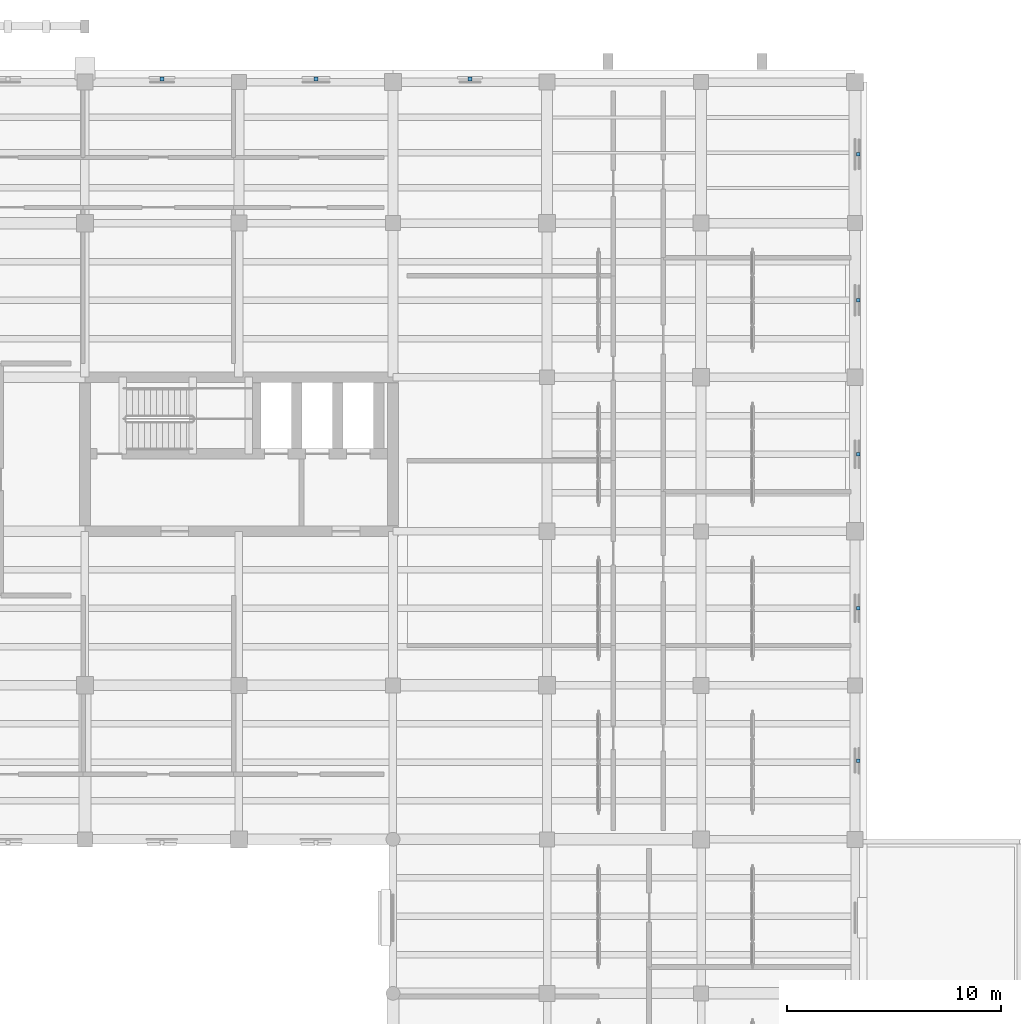
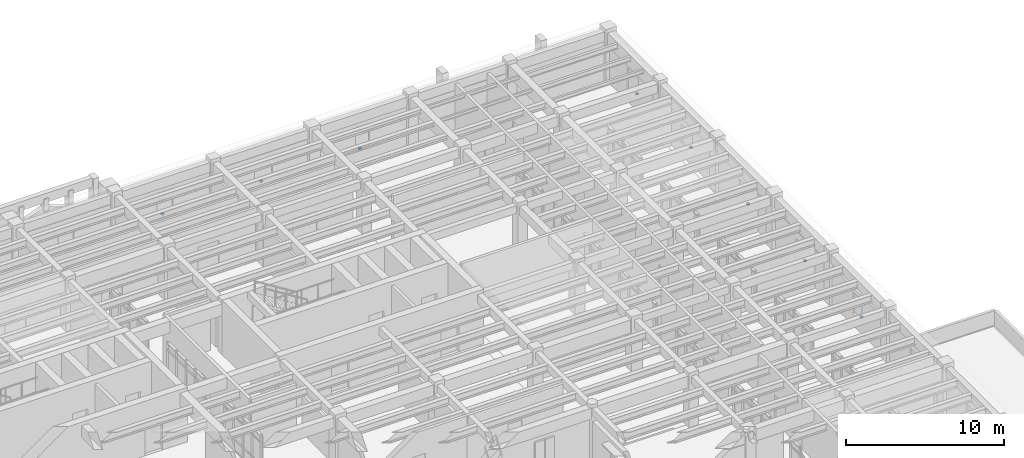
# One storey, part 65 of 76: 8 discrete accessories.
"""IFC4 building model written with IfcOpenShell, lengths in metres."""

from ifc_helpers import new_model, si_unit, direction, frame, origin, origin_2d, place, context, subcontext, project, spatial, rectangle, extrude, material, type_object, element, save


model = new_model("IFC4")

# Units and contexts
model_context = context("Model", 3, precision=1e-05, world=origin(), true_north=direction((0.0, 1.0)))
body_context = subcontext(model_context, "Body", "Model", "MODEL_VIEW")
ifc_project = project(units=[si_unit("LENGTHUNIT", "METRE"), si_unit("AREAUNIT", "SQUARE_METRE"), si_unit("VOLUMEUNIT", "CUBIC_METRE"), si_unit("PLANEANGLEUNIT", "RADIAN"), si_unit("MASSUNIT", "GRAM", prefix="KILO")], contexts=[model_context])

# Site, building, storey
site_placement = place(None, origin())
site = spatial("IfcSite", under=ifc_project, at=site_placement, CompositionType="ELEMENT")
building_placement = place(site_placement, origin())
building = spatial("IfcBuilding", under=site, at=building_placement, Name="Mithqara Police Headquarters", CompositionType="ELEMENT")
storey_placement = place(building_placement, frame((0.0, 0.0, 5.39990234375)))
storey = spatial("IfcBuildingStorey", under=building, at=storey_placement, Name="L01", CompositionType="ELEMENT", Elevation=5.39990234375)

# Discrete accessories
ifc_material = material(Name="Steel S355JR", Category="steel")
discrete_accessory_type = type_object("IfcDiscreteAccessoryType", Name="SCREEN BRACKET SS", PredefinedType="BRACKET", material=ifc_material)
for number, where, z_axis, x_axis, name in (
    (1, (166.35009765625, 82.27490234375, 0.85009765625), (0.0, 0.0, 1.0), (0.0, 1.0, 0.0), "L01 Stone Screen Support Bracket 8.1"),
    (2, (166.35009765625, 89.39990234375, 0.85009765625), (0.0, 0.0, 1.0), (0.0, 1.0, 0.0), "L01 Stone Screen Support Bracket 8.2"),
    (3, (166.35009765625, 96.60009765625, 0.85009765625), (0.0, 0.0, 1.0), (0.0, 1.0, 0.0), "L01 Stone Screen Support Bracket 8.3"),
    (4, (166.35009765625, 103.800048828125, 0.85009765625), (0.0, 0.0, 1.0), (0.0, 1.0, 0.0), "L01 Stone Screen Support Bracket 8.4"),
    (5, (166.35009765625, 110.625, 0.85009765625), (0.0, 0.0, 1.0), (0.0, 1.0, 0.0), "L01 Stone Screen Support Bracket 8.5"),
    (6, (148.199951171875, 114.14990234375, 0.85009765625), (0.0, 0.0, 1.0), (1.0, 0.0, 0.0), "L01 Stone Screen Support Bracket 9.1"),
    (7, (133.800048828125, 114.14990234375, 0.85009765625), (0.0, 0.0, 1.0), (1.0, 0.0, 0.0), "L01 Stone Screen Support Bracket 10.4"),
    (8, (141.0, 114.14990234375, 0.85009765625), (0.0, 0.0, 1.0), (1.0, 0.0, 0.0), "L01 Stone Screen Support Bracket 10.5"),
):
    element("IfcDiscreteAccessory", number, at=place(storey_placement, frame(where, z_axis=z_axis, x_axis=x_axis)), inside=storey, type_object=discrete_accessory_type, Name=name, PredefinedType="BRACKET", context=body_context, shape_type="SweptSolid", body=[
        extrude(rectangle(XDim=0.179931640625, YDim=0.179931640625, at=origin_2d()), origin(), (0.0, 0.0, 1.0), 0.1201171875),
    ])

save(model, "model.ifc")
